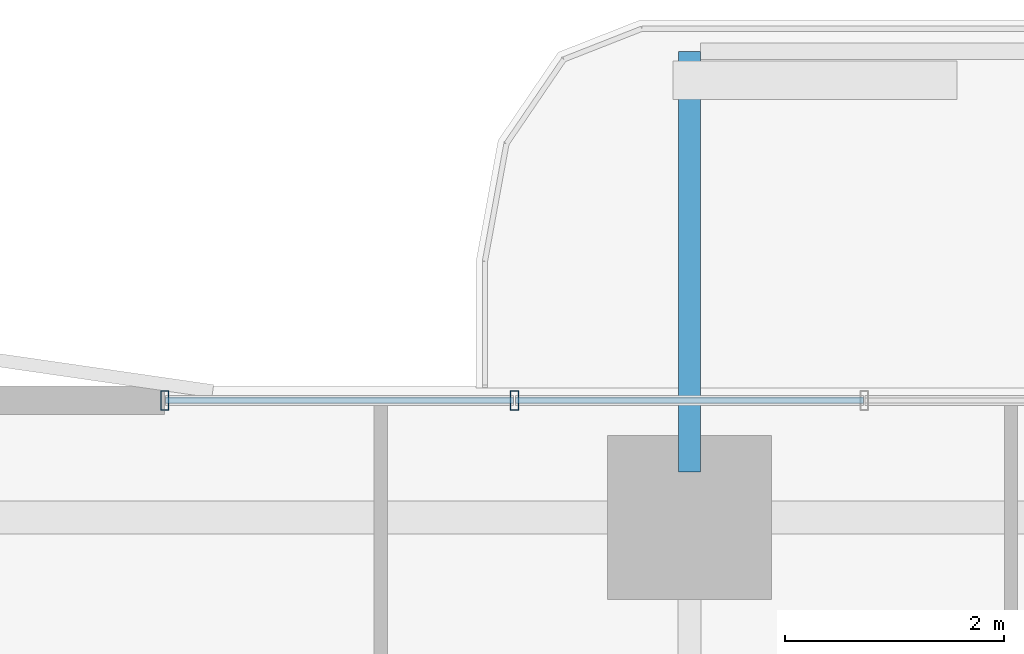
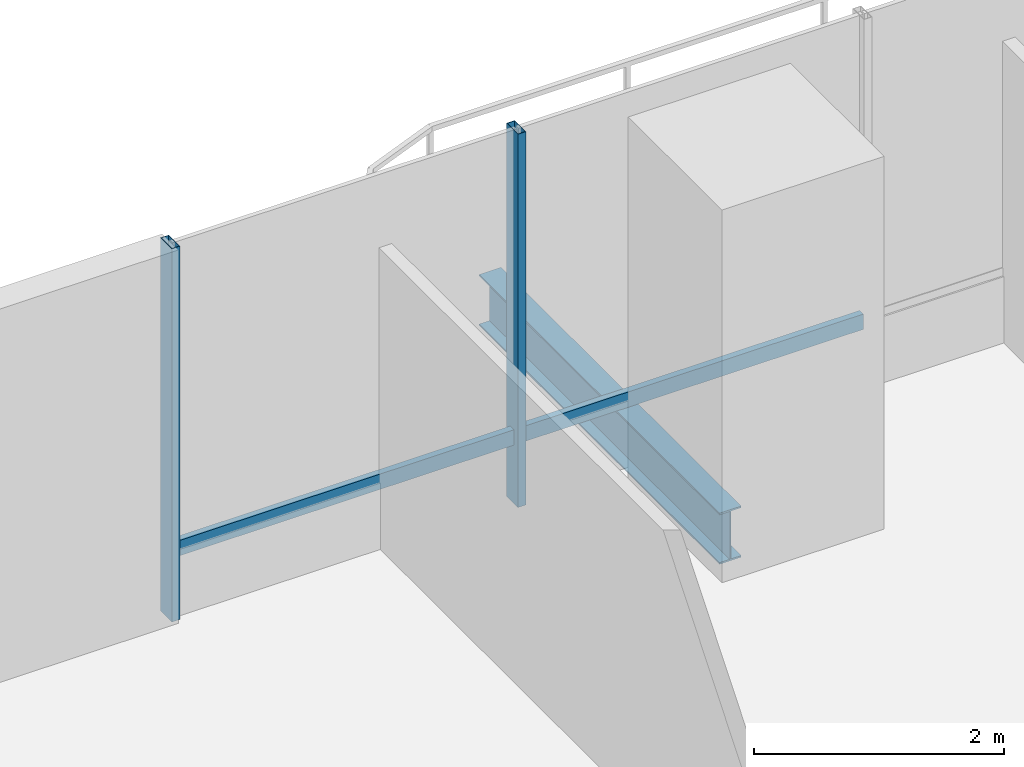
# One storey, part 11 of 23: 4 members, 1 beam, 1 element without a shape of its own.
"""IFC4 building model written with IfcOpenShell, lengths in metres."""

from ifc_helpers import new_model, si_unit, direction, frame, origin, origin_2d, place, context, subcontext, project, spatial, hollow_rectangle, i_section, extrude, material, layer, layer_set, material_profile, profile_set, type_object, element, aggregate, save


model = new_model("IFC4")

# Units and contexts
model_context = context("Model", 3, precision=1e-05, world=origin(), true_north=direction((0.0, 1.0)))
body_context = subcontext(model_context, "Body", "Model", "MODEL_VIEW")
ifc_project = project(units=[si_unit("LENGTHUNIT", "METRE"), si_unit("AREAUNIT", "SQUARE_METRE"), si_unit("VOLUMEUNIT", "CUBIC_METRE"), si_unit("PLANEANGLEUNIT", "RADIAN"), si_unit("MASSUNIT", "GRAM", prefix="KILO")], contexts=[model_context])

# Site, building, storey
site_placement = place(None, origin())
site = spatial("IfcSite", under=ifc_project, at=site_placement, CompositionType="ELEMENT")
building_placement = place(site_placement, origin())
building = spatial("IfcBuilding", under=site, at=building_placement, Name="Belovzor Exchange Tower", CompositionType="ELEMENT")
storey_placement = place(building_placement, frame((0.0, 0.0, 88.5)))
storey = spatial("IfcBuildingStorey", under=building, at=storey_placement, Name="L21", CompositionType="ELEMENT", Elevation=88.5)

# Beam
ifc_material_1 = material(Name="Steel S355", Category="steel")
ifc_material_profile_1 = material_profile(ifc_material_1, i_section(OverallWidth=0.199951171875, OverallDepth=0.5, WebThickness=0.01025390625, FlangeThickness=0.01611328125, at=origin_2d()))
ifc_profile_set_1 = profile_set([ifc_material_profile_1], Name="Steel S355")
beam_type = type_object("IfcBeamType", Name="Planted Balcony Cantilever Beam IPE 500", PredefinedType="BEAM", material=ifc_profile_set_1)
beam_placement = place(storey_placement, frame((28.800048828125, 55.9130859375, -0.5), z_axis=(0.0, 1.0, 0.0), x_axis=(-1.0, 0.0, 0.0)))
element("IfcBeam", 1, at=beam_placement, inside=storey, type_object=beam_type, Name="BC-500 Planted Balcony Cantilever Beam IPE 500", PredefinedType="BEAM", context=body_context, shape_type="SweptSolid", body=[
    extrude(i_section(OverallWidth=0.199951171875, OverallDepth=0.5, WebThickness=0.01025390625, FlangeThickness=0.01611328125, at=origin_2d()), origin(), (0.0, 0.0, 1.0), 3.849853515625),
])

# Curtain wall, members
ifc_material_2 = material(Name="Anodised Aluminium Framing", Category="aluminium")
ifc_layer = layer(ifc_material_2, 0.179931640625)
ifc_layer_set = layer_set([ifc_layer], Name="Anodised Aluminium Framing")
curtain_wall_type = type_object("IfcCurtainWallType", Name="Recessed Loggia Low-Iron Triple-Glazed Curtain Wall", PredefinedType="NOTDEFINED", material=ifc_layer_set)
curtain_wall_placement = place(storey_placement, origin())
curtain_wall = element("IfcCurtainWall", 2, at=curtain_wall_placement, inside=storey, type_object=curtain_wall_type, Name="CW3 Recessed Loggia Low-Iron Triple-Glazed Curtain Wall L21", PredefinedType="NOTDEFINED")
ifc_material_3 = material(Name="Steel S355", Category="steel")
ifc_material_profile_2 = material_profile(ifc_material_3, hollow_rectangle(XDim=0.074951171875, YDim=0.179931640625, WallThickness=0.0048828125, at=origin_2d()))
ifc_profile_set_2 = profile_set([ifc_material_profile_2], Name="Steel S355")
member_type_1 = type_object("IfcMemberType", Name="Thermally Broken Curtain Wall Mullion 180x75", PredefinedType="MULLION", material=ifc_profile_set_2)
member_1_placement = place(storey_placement, frame((24.0, 56.570068359375, 0.0), z_axis=(0.0, 0.0, 1.0), x_axis=(1.0, 0.0, 0.0)))
member_1 = element("IfcMember", 3, at=member_1_placement, type_object=member_type_1, Name="CW-M180 Curtain Wall Mullion 1", PredefinedType="MULLION", context=body_context, shape_type="SweptSolid", body=[
    extrude(hollow_rectangle(XDim=0.074951171875, YDim=0.179931640625, WallThickness=0.0048828125, at=origin_2d()), origin(), (0.0, 0.0, 1.0), 3.64990234375),
])
member_2_placement = place(storey_placement, frame((27.199951171875, 56.570068359375, 0.0), z_axis=(0.0, 0.0, 1.0), x_axis=(1.0, 0.0, 0.0)))
member_2 = element("IfcMember", 4, at=member_2_placement, type_object=member_type_1, Name="CW-M180 Curtain Wall Mullion 2", PredefinedType="MULLION", context=body_context, shape_type="SweptSolid", body=[
    extrude(hollow_rectangle(XDim=0.074951171875, YDim=0.179931640625, WallThickness=0.0048828125, at=origin_2d()), origin(), (0.0, 0.0, 1.0), 3.64990234375),
])
ifc_material_4 = material(Name="Steel S355", Category="steel")
ifc_material_profile_3 = material_profile(ifc_material_4, hollow_rectangle(XDim=0.06005859375, YDim=0.14990234375, WallThickness=0.00390625, at=origin_2d()))
ifc_profile_set_3 = profile_set([ifc_material_profile_3], Name="Steel S355")
member_type_2 = type_object("IfcMemberType", Name="Thermally Broken Curtain Wall Transom 150x60", PredefinedType="USERDEFINED", material=ifc_profile_set_3)
member_3_placement = place(storey_placement, frame((24.008056640625, 56.570068359375, 0.64990234375), z_axis=(1.0, 0.0, 0.0), x_axis=(0.0, 1.0, 0.0)))
member_3 = element("IfcMember", 5, at=member_3_placement, type_object=member_type_2, Name="CW-T150 Curtain Wall Transom 1", ObjectType="TRANSOM", PredefinedType="USERDEFINED", context=body_context, shape_type="SweptSolid", body=[
    extrude(hollow_rectangle(XDim=0.06005859375, YDim=0.14990234375, WallThickness=0.00390625, at=origin_2d()), origin(), (0.0, 0.0, 1.0), 3.183837890625),
])
member_4_placement = place(storey_placement, frame((27.2080078125, 56.570068359375, 0.64990234375), z_axis=(1.0, 0.0, 0.0), x_axis=(0.0, 1.0, 0.0)))
member_4 = element("IfcMember", 6, at=member_4_placement, type_object=member_type_2, Name="CW-T150 Curtain Wall Transom 2", ObjectType="TRANSOM", PredefinedType="USERDEFINED", context=body_context, shape_type="SweptSolid", body=[
    extrude(hollow_rectangle(XDim=0.06005859375, YDim=0.14990234375, WallThickness=0.00390625, at=origin_2d()), origin(), (0.0, 0.0, 1.0), 3.18408203125),
])
aggregate(curtain_wall, [member_1, member_2, member_3, member_4])

save(model, "model.ifc")
